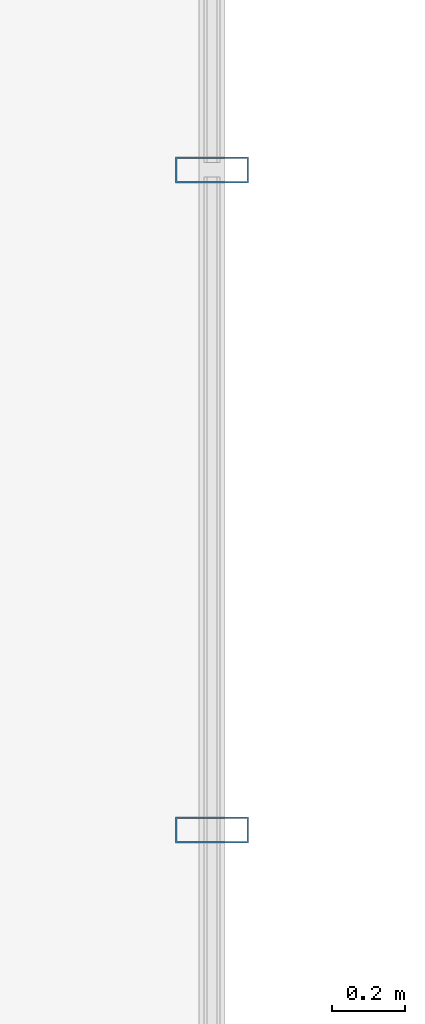
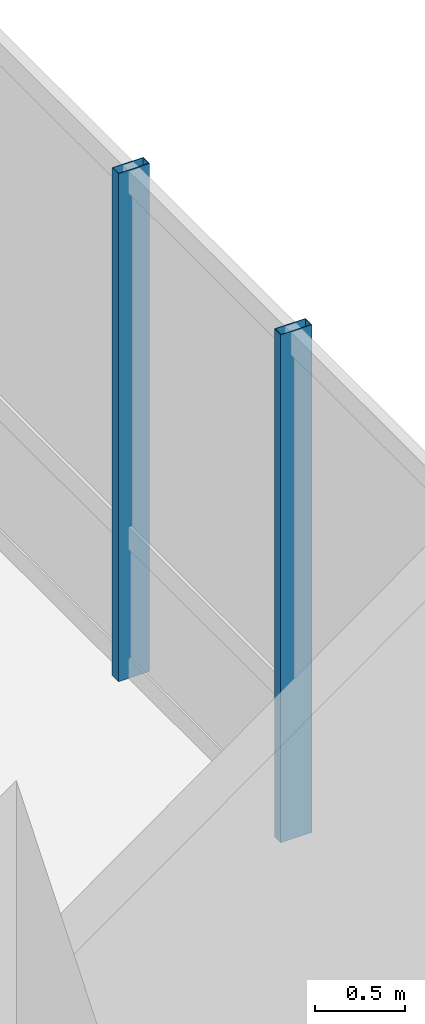
# One storey, part 10 of 24: 2 members, 1 element without a shape of its own.
"""IFC4 building model written with IfcOpenShell, lengths in metres."""

from ifc_helpers import new_model, si_unit, direction, frame, origin, origin_2d, place, context, subcontext, project, spatial, hollow_rectangle, extrude, source, transform, mapped, material, layer, layer_set, material_profile, profile_set, type_object, element, aggregate, save


model = new_model("IFC4")

# Units and contexts
model_context = context("Model", 3, precision=1e-05, world=origin(), true_north=direction((0.0, 1.0)))
body_context = subcontext(model_context, "Body", "Model", "MODEL_VIEW")
ifc_project = project(units=[si_unit("LENGTHUNIT", "METRE"), si_unit("AREAUNIT", "SQUARE_METRE"), si_unit("VOLUMEUNIT", "CUBIC_METRE"), si_unit("PLANEANGLEUNIT", "RADIAN"), si_unit("MASSUNIT", "GRAM", prefix="KILO")], contexts=[model_context])

# Site, building, storey
site_placement = place(None, origin())
site = spatial("IfcSite", under=ifc_project, at=site_placement, CompositionType="ELEMENT")
building_placement = place(site_placement, origin())
building = spatial("IfcBuilding", under=site, at=building_placement, Name="Kaliganga Portal Commons", CompositionType="ELEMENT")
storey_placement = place(building_placement, frame((0.0, 0.0, 242.5)))
storey = spatial("IfcBuildingStorey", under=building, at=storey_placement, Name="L62", CompositionType="ELEMENT", Elevation=242.5)

# Curtain wall, members
ifc_material_1 = material(Name="Anodized Aluminium and Laminated Low-E Glass", Category="aluminium")
ifc_layer = layer(ifc_material_1, 0.239990234375)
ifc_layer_set = layer_set([ifc_layer], Name="Anodized Aluminium and Laminated Low-E Glass")
curtain_wall_type = type_object("IfcCurtainWallType", Name="CW-SYS-04", PredefinedType="NOTDEFINED", material=ifc_layer_set)
curtain_wall_placement = place(storey_placement, origin())
curtain_wall = element("IfcCurtainWall", 1, at=curtain_wall_placement, inside=storey, type_object=curtain_wall_type, Name="CW 04 L62 P1E01S1", PredefinedType="NOTDEFINED")
ifc_material_2 = material(Name="Dark Bronze Anodized Aluminium", Category="aluminium")
ifc_material_profile = material_profile(ifc_material_2, hollow_rectangle(XDim=0.070068359375, YDim=0.199951171875, WallThickness=0.00390625, at=origin_2d()), Name="ALU MULL 70x200x4")
ifc_profile_set = profile_set([ifc_material_profile], Name="Dark Bronze Anodized Aluminium")
member_type = type_object("IfcMemberType", Name="CW-MUL-220", PredefinedType="MULLION", material=ifc_profile_set)
shared_shape = source(origin(), body_context, "Body", "SweptSolid", [
    extrude(hollow_rectangle(XDim=0.070068359375, YDim=0.199951171875, WallThickness=0.00390625, at=origin_2d()), origin(), (0.0, 0.0, 1.0), 3.43994140625),
])
member_1_placement = place(storey_placement, frame((39.10009765625, 30.60009765625, 0.0), z_axis=(0.0, 0.0, 1.0), x_axis=(0.0, 1.0, 0.0)))
member_1 = element("IfcMember", 2, at=member_1_placement, type_object=member_type, Name="CW:04:L62:P1E01S1 Mullion 05", PredefinedType="MULLION", context=body_context, shape_type="MappedRepresentation", body=[
    mapped(shared_shape, transform((0.0, 0.0, 0.0), x_axis=(1.0, 0.0, 0.0), y_axis=(0.0, 1.0, 0.0), z_axis=(0.0, 0.0, 1.0), scale=1.0)),
])
member_2_placement = place(storey_placement, frame((39.10009765625, 32.39990234375, 0.0), z_axis=(0.0, 0.0, 1.0), x_axis=(0.0, 1.0, 0.0)))
member_2 = element("IfcMember", 3, at=member_2_placement, type_object=member_type, Name="CW:04:L62:P1E01S1 Mullion 06", PredefinedType="MULLION", context=body_context, shape_type="MappedRepresentation", body=[
    mapped(shared_shape, transform((0.0, 0.0, 0.0), x_axis=(1.0, 0.0, 0.0), y_axis=(0.0, 1.0, 0.0), z_axis=(0.0, 0.0, 1.0), scale=1.0)),
])
aggregate(curtain_wall, [member_1, member_2])

save(model, "model.ifc")
